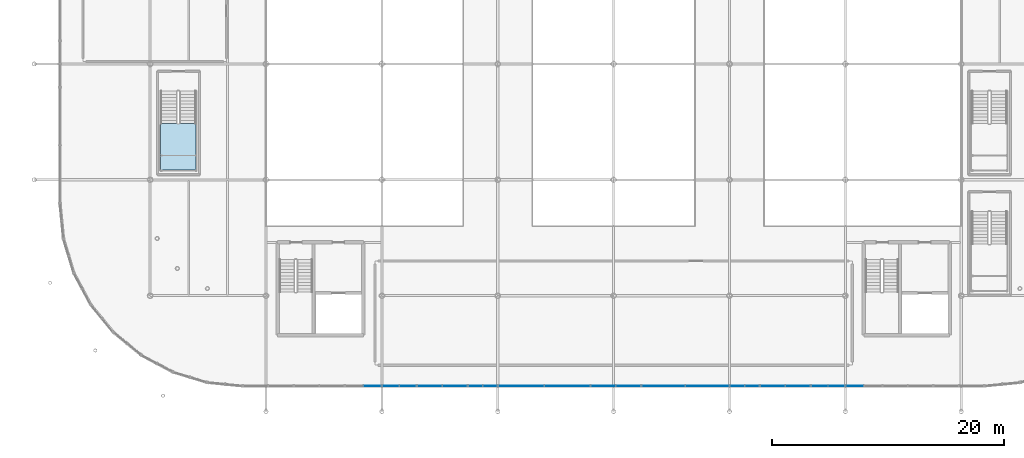
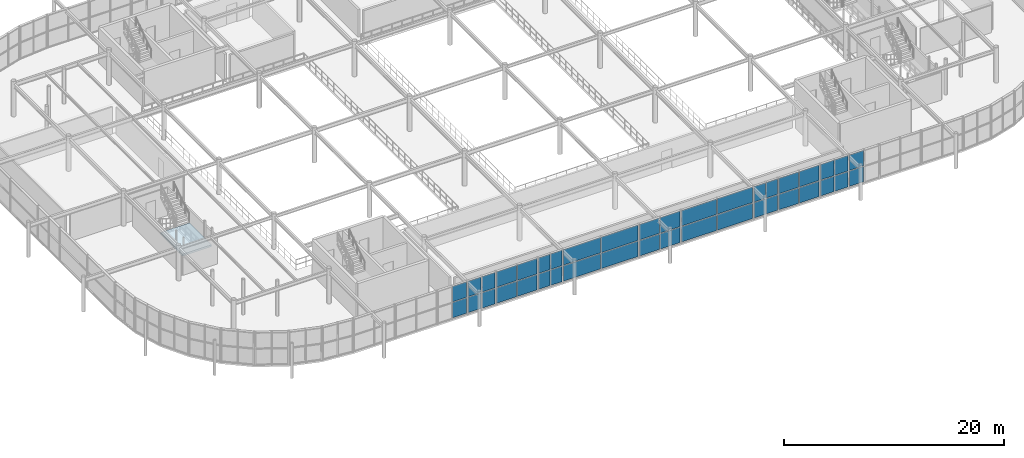
# One storey, part 66 of 98: 40 plates, 1 slab, 12 elements without a shape of their own.
"""IFC4 building model written with IfcOpenShell, lengths in metres."""

from ifc_helpers import new_model, si_unit, derived_unit, direction, frame, origin, origin_2d_with_axis, place, context, subcontext, project, spatial, polyline, rectangle, outline, extrude, material, layer, layer_set, type_object, element, aggregate, save


model = new_model("IFC4")

# Units and contexts
model_context = context("Model", 3, precision=1e-05, world=origin(), true_north=direction((0.0, 1.0)))
body_context = subcontext(model_context, "Body", "Model", "MODEL_VIEW")
ifc_project = project(units=[si_unit("LENGTHUNIT", "METRE"), si_unit("AREAUNIT", "SQUARE_METRE"), si_unit("VOLUMEUNIT", "CUBIC_METRE"), si_unit("PLANEANGLEUNIT", "RADIAN"), si_unit("MASSUNIT", "GRAM", prefix="KILO"), derived_unit("THERMALTRANSMITTANCEUNIT", [(si_unit("POWERUNIT", "WATT"), 1), (si_unit("LENGTHUNIT", "METRE"), -2), (si_unit("THERMODYNAMICTEMPERATUREUNIT", "KELVIN"), -1)])], contexts=[model_context])

# Site, building, storey
site_placement = place(None, origin())
site = spatial("IfcSite", under=ifc_project, at=site_placement, CompositionType="ELEMENT")
building_placement = place(site_placement, origin())
building = spatial("IfcBuilding", under=site, at=building_placement, Name="Cinnabar Yard Market Hall", CompositionType="ELEMENT")
storey_placement = place(building_placement, frame((0.0, 0.0, 4.5)))
storey = spatial("IfcBuildingStorey", under=building, at=storey_placement, Name="L01", CompositionType="ELEMENT", Elevation=4.5)

# Curtain wall, plates
ifc_material_1 = material(Name="Anodised bronze aluminium and low-E glass", Category="aluminium")
curtain_wall_type_1 = type_object("IfcCurtainWallType", Name="CW-CWH026x36", PredefinedType="NOTDEFINED", material=ifc_material_1)
curtain_wall_1_placement = place(storey_placement, origin())
curtain_wall_1 = element("IfcCurtainWall", 1, at=curtain_wall_1_placement, inside=storey, type_object=curtain_wall_type_1, Name="Market Hall South Gallery Glazing B2B", PredefinedType="NOTDEFINED")
ifc_material_2 = material(Name="Low-E laminated glass", Category="glass")
ifc_layer_1 = layer(ifc_material_2, 0.031982421875)
ifc_layer_set_1 = layer_set([ifc_layer_1], Name="Low-E laminated glass")
plate_type_1 = type_object("IfcPlateType", Name="CWP-GP118x171", PredefinedType="CURTAIN_PANEL", material=ifc_layer_set_1)
plate_1_placement = place(storey_placement, frame((104.070068359375, 16.199951171875, 0.080078125), z_axis=(0.0, 0.0, 1.0), x_axis=(1.0, 0.0, 0.0)))
plate_1 = element("IfcPlate", 2, at=plate_1_placement, type_object=plate_type_1, Name="CWH026x36 panel 1.1", PredefinedType="CURTAIN_PANEL", context=body_context, shape_type="SweptSolid", body=[
    extrude(rectangle(XDim=1.179931640625, YDim=0.031982421875, at=origin_2d_with_axis()), origin(), (0.0, 0.0, 1.0), 1.705078125),
])
plate_2_placement = place(storey_placement, frame((104.070068359375, 16.199951171875, 1.864990234375), z_axis=(0.0, 0.0, 1.0), x_axis=(1.0, 0.0, 0.0)))
plate_2 = element("IfcPlate", 3, at=plate_2_placement, type_object=plate_type_1, Name="CWH026x36 panel 1.2", PredefinedType="CURTAIN_PANEL", context=body_context, shape_type="SweptSolid", body=[
    extrude(rectangle(XDim=1.179931640625, YDim=0.031982421875, at=origin_2d_with_axis()), origin(), (0.0, 0.0, 1.0), 1.705078125),
])
plate_3_placement = place(storey_placement, frame((105.330078125, 16.199951171875, 0.080078125), z_axis=(0.0, 0.0, 1.0), x_axis=(1.0, 0.0, 0.0)))
plate_3 = element("IfcPlate", 4, at=plate_3_placement, type_object=plate_type_1, Name="CWH026x36 panel 2.1", PredefinedType="CURTAIN_PANEL", context=body_context, shape_type="SweptSolid", body=[
    extrude(rectangle(XDim=1.179931640625, YDim=0.031982421875, at=origin_2d_with_axis()), origin(), (0.0, 0.0, 1.0), 1.705078125),
])
plate_4_placement = place(storey_placement, frame((105.330078125, 16.199951171875, 1.864990234375), z_axis=(0.0, 0.0, 1.0), x_axis=(1.0, 0.0, 0.0)))
plate_4 = element("IfcPlate", 5, at=plate_4_placement, type_object=plate_type_1, Name="CWH026x36 panel 2.2", PredefinedType="CURTAIN_PANEL", context=body_context, shape_type="SweptSolid", body=[
    extrude(rectangle(XDim=1.179931640625, YDim=0.031982421875, at=origin_2d_with_axis()), origin(), (0.0, 0.0, 1.0), 1.705078125),
])
aggregate(curtain_wall_1, [plate_1, plate_2, plate_3, plate_4])

curtain_wall_2_placement = place(storey_placement, origin())
curtain_wall_2 = element("IfcCurtainWall", 6, at=curtain_wall_2_placement, inside=storey, type_object=curtain_wall_type_1, Name="Market Hall South Gallery Glazing B5A", PredefinedType="NOTDEFINED")
plate_5_placement = place(storey_placement, frame((126.669921875, 16.199951171875, 0.080078125), z_axis=(0.0, 0.0, 1.0), x_axis=(1.0, 0.0, 0.0)))
plate_5 = element("IfcPlate", 7, at=plate_5_placement, type_object=plate_type_1, Name="CWH026x36 panel 1.1", PredefinedType="CURTAIN_PANEL", context=body_context, shape_type="SweptSolid", body=[
    extrude(rectangle(XDim=1.179931640625, YDim=0.031982421875, at=origin_2d_with_axis()), origin(), (0.0, 0.0, 1.0), 1.705078125),
])
plate_6_placement = place(storey_placement, frame((126.669921875, 16.199951171875, 1.864990234375), z_axis=(0.0, 0.0, 1.0), x_axis=(1.0, 0.0, 0.0)))
plate_6 = element("IfcPlate", 8, at=plate_6_placement, type_object=plate_type_1, Name="CWH026x36 panel 1.2", PredefinedType="CURTAIN_PANEL", context=body_context, shape_type="SweptSolid", body=[
    extrude(rectangle(XDim=1.179931640625, YDim=0.031982421875, at=origin_2d_with_axis()), origin(), (0.0, 0.0, 1.0), 1.705078125),
])
plate_7_placement = place(storey_placement, frame((127.929931640625, 16.199951171875, 0.080078125), z_axis=(0.0, 0.0, 1.0), x_axis=(1.0, 0.0, 0.0)))
plate_7 = element("IfcPlate", 9, at=plate_7_placement, type_object=plate_type_1, Name="CWH026x36 panel 2.1", PredefinedType="CURTAIN_PANEL", context=body_context, shape_type="SweptSolid", body=[
    extrude(rectangle(XDim=1.179931640625, YDim=0.031982421875, at=origin_2d_with_axis()), origin(), (0.0, 0.0, 1.0), 1.705078125),
])
plate_8_placement = place(storey_placement, frame((127.929931640625, 16.199951171875, 1.864990234375), z_axis=(0.0, 0.0, 1.0), x_axis=(1.0, 0.0, 0.0)))
plate_8 = element("IfcPlate", 10, at=plate_8_placement, type_object=plate_type_1, Name="CWH026x36 panel 2.2", PredefinedType="CURTAIN_PANEL", context=body_context, shape_type="SweptSolid", body=[
    extrude(rectangle(XDim=1.179931640625, YDim=0.031982421875, at=origin_2d_with_axis()), origin(), (0.0, 0.0, 1.0), 1.705078125),
])
aggregate(curtain_wall_2, [plate_5, plate_6, plate_7, plate_8])

curtain_wall_type_2 = type_object("IfcCurtainWallType", Name="CW-CWH030x36", PredefinedType="NOTDEFINED", material=ifc_material_1)
curtain_wall_3_placement = place(storey_placement, origin())
curtain_wall_3 = element("IfcCurtainWall", 11, at=curtain_wall_3_placement, inside=storey, type_object=curtain_wall_type_2, Name="Market Hall South Gallery Glazing B2A", PredefinedType="NOTDEFINED")
ifc_layer_2 = layer(ifc_material_2, 0.031982421875)
ifc_layer_set_2 = layer_set([ifc_layer_2], Name="Low-E laminated glass")
plate_type_2 = type_object("IfcPlateType", Name="CWP-GP138x171", PredefinedType="CURTAIN_PANEL", material=ifc_layer_set_2)
plate_9_placement = place(storey_placement, frame((96.77001953125, 16.199951171875, 0.080078125), z_axis=(0.0, 0.0, 1.0), x_axis=(1.0, 0.0, 0.0)))
plate_9 = element("IfcPlate", 12, at=plate_9_placement, type_object=plate_type_2, Name="CWH030x36 panel 1.1", PredefinedType="CURTAIN_PANEL", context=body_context, shape_type="SweptSolid", body=[
    extrude(rectangle(XDim=1.3798828125, YDim=0.031982421875, at=origin_2d_with_axis()), origin(), (0.0, 0.0, 1.0), 1.705078125),
])
plate_10_placement = place(storey_placement, frame((96.77001953125, 16.199951171875, 1.864990234375), z_axis=(0.0, 0.0, 1.0), x_axis=(1.0, 0.0, 0.0)))
plate_10 = element("IfcPlate", 13, at=plate_10_placement, type_object=plate_type_2, Name="CWH030x36 panel 1.2", PredefinedType="CURTAIN_PANEL", context=body_context, shape_type="SweptSolid", body=[
    extrude(rectangle(XDim=1.3798828125, YDim=0.031982421875, at=origin_2d_with_axis()), origin(), (0.0, 0.0, 1.0), 1.705078125),
])
plate_11_placement = place(storey_placement, frame((98.22998046875, 16.199951171875, 0.080078125), z_axis=(0.0, 0.0, 1.0), x_axis=(1.0, 0.0, 0.0)))
plate_11 = element("IfcPlate", 14, at=plate_11_placement, type_object=plate_type_2, Name="CWH030x36 panel 2.1", PredefinedType="CURTAIN_PANEL", context=body_context, shape_type="SweptSolid", body=[
    extrude(rectangle(XDim=1.3798828125, YDim=0.031982421875, at=origin_2d_with_axis()), origin(), (0.0, 0.0, 1.0), 1.705078125),
])
plate_12_placement = place(storey_placement, frame((98.22998046875, 16.199951171875, 1.864990234375), z_axis=(0.0, 0.0, 1.0), x_axis=(1.0, 0.0, 0.0)))
plate_12 = element("IfcPlate", 15, at=plate_12_placement, type_object=plate_type_2, Name="CWH030x36 panel 2.2", PredefinedType="CURTAIN_PANEL", context=body_context, shape_type="SweptSolid", body=[
    extrude(rectangle(XDim=1.3798828125, YDim=0.031982421875, at=origin_2d_with_axis()), origin(), (0.0, 0.0, 1.0), 1.705078125),
])
aggregate(curtain_wall_3, [plate_9, plate_10, plate_11, plate_12])

curtain_wall_4_placement = place(storey_placement, origin())
curtain_wall_4 = element("IfcCurtainWall", 16, at=curtain_wall_4_placement, inside=storey, type_object=curtain_wall_type_2, Name="Market Hall South Gallery Glazing B5B", PredefinedType="NOTDEFINED")
plate_13_placement = place(storey_placement, frame((133.77001953125, 16.199951171875, 0.080078125), z_axis=(0.0, 0.0, 1.0), x_axis=(1.0, 0.0, 0.0)))
plate_13 = element("IfcPlate", 17, at=plate_13_placement, type_object=plate_type_2, Name="CWH030x36 panel 1.1", PredefinedType="CURTAIN_PANEL", context=body_context, shape_type="SweptSolid", body=[
    extrude(rectangle(XDim=1.3798828125, YDim=0.031982421875, at=origin_2d_with_axis()), origin(), (0.0, 0.0, 1.0), 1.705078125),
])
plate_14_placement = place(storey_placement, frame((133.77001953125, 16.199951171875, 1.864990234375), z_axis=(0.0, 0.0, 1.0), x_axis=(1.0, 0.0, 0.0)))
plate_14 = element("IfcPlate", 18, at=plate_14_placement, type_object=plate_type_2, Name="CWH030x36 panel 1.2", PredefinedType="CURTAIN_PANEL", context=body_context, shape_type="SweptSolid", body=[
    extrude(rectangle(XDim=1.3798828125, YDim=0.031982421875, at=origin_2d_with_axis()), origin(), (0.0, 0.0, 1.0), 1.705078125),
])
plate_15_placement = place(storey_placement, frame((135.22998046875, 16.199951171875, 0.080078125), z_axis=(0.0, 0.0, 1.0), x_axis=(1.0, 0.0, 0.0)))
plate_15 = element("IfcPlate", 19, at=plate_15_placement, type_object=plate_type_2, Name="CWH030x36 panel 2.1", PredefinedType="CURTAIN_PANEL", context=body_context, shape_type="SweptSolid", body=[
    extrude(rectangle(XDim=1.3798828125, YDim=0.031982421875, at=origin_2d_with_axis()), origin(), (0.0, 0.0, 1.0), 1.705078125),
])
plate_16_placement = place(storey_placement, frame((135.22998046875, 16.199951171875, 1.864990234375), z_axis=(0.0, 0.0, 1.0), x_axis=(1.0, 0.0, 0.0)))
plate_16 = element("IfcPlate", 20, at=plate_16_placement, type_object=plate_type_2, Name="CWH030x36 panel 2.2", PredefinedType="CURTAIN_PANEL", context=body_context, shape_type="SweptSolid", body=[
    extrude(rectangle(XDim=1.3798828125, YDim=0.031982421875, at=origin_2d_with_axis()), origin(), (0.0, 0.0, 1.0), 1.705078125),
])
aggregate(curtain_wall_4, [plate_13, plate_14, plate_15, plate_16])

curtain_wall_type_3 = type_object("IfcCurtainWallType", Name="CW-CWH032x36", PredefinedType="NOTDEFINED", material=ifc_material_1)
curtain_wall_5_placement = place(storey_placement, origin())
curtain_wall_5 = element("IfcCurtainWall", 21, at=curtain_wall_5_placement, inside=storey, type_object=curtain_wall_type_3, Name="Market Hall South Gallery Glazing B1B", PredefinedType="NOTDEFINED")
ifc_layer_3 = layer(ifc_material_2, 0.031982421875)
ifc_layer_set_3 = layer_set([ifc_layer_3], Name="Low-E laminated glass")
plate_type_3 = type_object("IfcPlateType", Name="CWP-GP148x171", PredefinedType="CURTAIN_PANEL", material=ifc_layer_set_3)
plate_17_placement = place(storey_placement, frame((95.179931640625, 16.199951171875, 0.080078125), z_axis=(0.0, 0.0, 1.0), x_axis=(1.0, 0.0, 0.0)))
plate_17 = element("IfcPlate", 22, at=plate_17_placement, type_object=plate_type_3, Name="CWH032x36 panel 2.1", PredefinedType="CURTAIN_PANEL", context=body_context, shape_type="SweptSolid", body=[
    extrude(rectangle(XDim=1.47998046875, YDim=0.031982421875, at=origin_2d_with_axis()), origin(), (0.0, 0.0, 1.0), 1.705078125),
])
plate_18_placement = place(storey_placement, frame((95.179931640625, 16.199951171875, 1.864990234375), z_axis=(0.0, 0.0, 1.0), x_axis=(1.0, 0.0, 0.0)))
plate_18 = element("IfcPlate", 23, at=plate_18_placement, type_object=plate_type_3, Name="CWH032x36 panel 2.2", PredefinedType="CURTAIN_PANEL", context=body_context, shape_type="SweptSolid", body=[
    extrude(rectangle(XDim=1.47998046875, YDim=0.031982421875, at=origin_2d_with_axis()), origin(), (0.0, 0.0, 1.0), 1.705078125),
])
aggregate(curtain_wall_5, [plate_17, plate_18])

curtain_wall_6_placement = place(storey_placement, origin())
curtain_wall_6 = element("IfcCurtainWall", 24, at=curtain_wall_6_placement, inside=storey, type_object=curtain_wall_type_3, Name="Market Hall South Gallery Glazing B6A", PredefinedType="NOTDEFINED")
plate_19_placement = place(storey_placement, frame((136.820068359375, 16.199951171875, 0.080078125), z_axis=(0.0, 0.0, 1.0), x_axis=(1.0, 0.0, 0.0)))
plate_19 = element("IfcPlate", 25, at=plate_19_placement, type_object=plate_type_3, Name="CWH032x36 panel 1.1", PredefinedType="CURTAIN_PANEL", context=body_context, shape_type="SweptSolid", body=[
    extrude(rectangle(XDim=1.47998046875, YDim=0.031982421875, at=origin_2d_with_axis()), origin(), (0.0, 0.0, 1.0), 1.705078125),
])
plate_20_placement = place(storey_placement, frame((136.820068359375, 16.199951171875, 1.864990234375), z_axis=(0.0, 0.0, 1.0), x_axis=(1.0, 0.0, 0.0)))
plate_20 = element("IfcPlate", 26, at=plate_20_placement, type_object=plate_type_3, Name="CWH032x36 panel 1.2", PredefinedType="CURTAIN_PANEL", context=body_context, shape_type="SweptSolid", body=[
    extrude(rectangle(XDim=1.47998046875, YDim=0.031982421875, at=origin_2d_with_axis()), origin(), (0.0, 0.0, 1.0), 1.705078125),
])
aggregate(curtain_wall_6, [plate_19, plate_20])

curtain_wall_type_4 = type_object("IfcCurtainWallType", Name="CW-CWH044x36", PredefinedType="NOTDEFINED", material=ifc_material_1)
curtain_wall_7_placement = place(storey_placement, origin())
curtain_wall_7 = element("IfcCurtainWall", 27, at=curtain_wall_7_placement, inside=storey, type_object=curtain_wall_type_4, Name="Market Hall South Gallery Glazing PTB2", PredefinedType="NOTDEFINED")
ifc_layer_4 = layer(ifc_material_2, 0.031982421875)
ifc_layer_set_4 = layer_set([ifc_layer_4], Name="Low-E laminated glass")
plate_type_4 = type_object("IfcPlateType", Name="CWP-GP208x171", PredefinedType="CURTAIN_PANEL", material=ifc_layer_set_4)
plate_21_placement = place(storey_placement, frame((100.1201171875, 16.199951171875, 0.080078125), z_axis=(0.0, 0.0, 1.0), x_axis=(1.0, 0.0, 0.0)))
plate_21 = element("IfcPlate", 28, at=plate_21_placement, type_object=plate_type_4, Name="CWH044x36 panel 1.1", PredefinedType="CURTAIN_PANEL", context=body_context, shape_type="SweptSolid", body=[
    extrude(rectangle(XDim=2.080078125, YDim=0.031982421875, at=origin_2d_with_axis()), origin(), (0.0, 0.0, 1.0), 1.705078125),
])
plate_22_placement = place(storey_placement, frame((100.1201171875, 16.199951171875, 1.864990234375), z_axis=(0.0, 0.0, 1.0), x_axis=(1.0, 0.0, 0.0)))
plate_22 = element("IfcPlate", 29, at=plate_22_placement, type_object=plate_type_4, Name="CWH044x36 panel 1.2", PredefinedType="CURTAIN_PANEL", context=body_context, shape_type="SweptSolid", body=[
    extrude(rectangle(XDim=2.080078125, YDim=0.031982421875, at=origin_2d_with_axis()), origin(), (0.0, 0.0, 1.0), 1.705078125),
])
plate_23_placement = place(storey_placement, frame((102.280029296875, 16.199951171875, 0.080078125), z_axis=(0.0, 0.0, 1.0), x_axis=(1.0, 0.0, 0.0)))
plate_23 = element("IfcPlate", 30, at=plate_23_placement, type_object=plate_type_4, Name="CWH044x36 panel 2.1", PredefinedType="CURTAIN_PANEL", context=body_context, shape_type="SweptSolid", body=[
    extrude(rectangle(XDim=2.080078125, YDim=0.031982421875, at=origin_2d_with_axis()), origin(), (0.0, 0.0, 1.0), 1.705078125),
])
plate_24_placement = place(storey_placement, frame((102.280029296875, 16.199951171875, 1.864990234375), z_axis=(0.0, 0.0, 1.0), x_axis=(1.0, 0.0, 0.0)))
plate_24 = element("IfcPlate", 31, at=plate_24_placement, type_object=plate_type_4, Name="CWH044x36 panel 2.2", PredefinedType="CURTAIN_PANEL", context=body_context, shape_type="SweptSolid", body=[
    extrude(rectangle(XDim=2.080078125, YDim=0.031982421875, at=origin_2d_with_axis()), origin(), (0.0, 0.0, 1.0), 1.705078125),
])
aggregate(curtain_wall_7, [plate_21, plate_22, plate_23, plate_24])

curtain_wall_8_placement = place(storey_placement, origin())
curtain_wall_8 = element("IfcCurtainWall", 32, at=curtain_wall_8_placement, inside=storey, type_object=curtain_wall_type_4, Name="Market Hall South Gallery Glazing PT1", PredefinedType="NOTDEFINED")
plate_25_placement = place(storey_placement, frame((115.1201171875, 16.199951171875, 0.080078125), z_axis=(0.0, 0.0, 1.0), x_axis=(1.0, 0.0, 0.0)))
plate_25 = element("IfcPlate", 33, at=plate_25_placement, type_object=plate_type_4, Name="CWH044x36 panel 1.1", PredefinedType="CURTAIN_PANEL", context=body_context, shape_type="SweptSolid", body=[
    extrude(rectangle(XDim=2.080078125, YDim=0.031982421875, at=origin_2d_with_axis()), origin(), (0.0, 0.0, 1.0), 1.705078125),
])
plate_26_placement = place(storey_placement, frame((115.1201171875, 16.199951171875, 1.864990234375), z_axis=(0.0, 0.0, 1.0), x_axis=(1.0, 0.0, 0.0)))
plate_26 = element("IfcPlate", 34, at=plate_26_placement, type_object=plate_type_4, Name="CWH044x36 panel 1.2", PredefinedType="CURTAIN_PANEL", context=body_context, shape_type="SweptSolid", body=[
    extrude(rectangle(XDim=2.080078125, YDim=0.031982421875, at=origin_2d_with_axis()), origin(), (0.0, 0.0, 1.0), 1.705078125),
])
plate_27_placement = place(storey_placement, frame((117.280029296875, 16.199951171875, 0.080078125), z_axis=(0.0, 0.0, 1.0), x_axis=(1.0, 0.0, 0.0)))
plate_27 = element("IfcPlate", 35, at=plate_27_placement, type_object=plate_type_4, Name="CWH044x36 panel 2.1", PredefinedType="CURTAIN_PANEL", context=body_context, shape_type="SweptSolid", body=[
    extrude(rectangle(XDim=2.080078125, YDim=0.031982421875, at=origin_2d_with_axis()), origin(), (0.0, 0.0, 1.0), 1.705078125),
])
plate_28_placement = place(storey_placement, frame((117.280029296875, 16.199951171875, 1.864990234375), z_axis=(0.0, 0.0, 1.0), x_axis=(1.0, 0.0, 0.0)))
plate_28 = element("IfcPlate", 36, at=plate_28_placement, type_object=plate_type_4, Name="CWH044x36 panel 2.2", PredefinedType="CURTAIN_PANEL", context=body_context, shape_type="SweptSolid", body=[
    extrude(rectangle(XDim=2.080078125, YDim=0.031982421875, at=origin_2d_with_axis()), origin(), (0.0, 0.0, 1.0), 1.705078125),
])
aggregate(curtain_wall_8, [plate_25, plate_26, plate_27, plate_28])

curtain_wall_9_placement = place(storey_placement, origin())
curtain_wall_9 = element("IfcCurtainWall", 37, at=curtain_wall_9_placement, inside=storey, type_object=curtain_wall_type_4, Name="Market Hall South Gallery Glazing PTB5", PredefinedType="NOTDEFINED")
plate_29_placement = place(storey_placement, frame((129.719970703125, 16.199951171875, 0.080078125), z_axis=(0.0, 0.0, 1.0), x_axis=(1.0, 0.0, 0.0)))
plate_29 = element("IfcPlate", 38, at=plate_29_placement, type_object=plate_type_4, Name="CWH044x36 panel 1.1", PredefinedType="CURTAIN_PANEL", context=body_context, shape_type="SweptSolid", body=[
    extrude(rectangle(XDim=2.080078125, YDim=0.031982421875, at=origin_2d_with_axis()), origin(), (0.0, 0.0, 1.0), 1.705078125),
])
plate_30_placement = place(storey_placement, frame((129.719970703125, 16.199951171875, 1.864990234375), z_axis=(0.0, 0.0, 1.0), x_axis=(1.0, 0.0, 0.0)))
plate_30 = element("IfcPlate", 39, at=plate_30_placement, type_object=plate_type_4, Name="CWH044x36 panel 1.2", PredefinedType="CURTAIN_PANEL", context=body_context, shape_type="SweptSolid", body=[
    extrude(rectangle(XDim=2.080078125, YDim=0.031982421875, at=origin_2d_with_axis()), origin(), (0.0, 0.0, 1.0), 1.705078125),
])
plate_31_placement = place(storey_placement, frame((131.8798828125, 16.199951171875, 0.080078125), z_axis=(0.0, 0.0, 1.0), x_axis=(1.0, 0.0, 0.0)))
plate_31 = element("IfcPlate", 40, at=plate_31_placement, type_object=plate_type_4, Name="CWH044x36 panel 2.1", PredefinedType="CURTAIN_PANEL", context=body_context, shape_type="SweptSolid", body=[
    extrude(rectangle(XDim=2.080078125, YDim=0.031982421875, at=origin_2d_with_axis()), origin(), (0.0, 0.0, 1.0), 1.705078125),
])
plate_32_placement = place(storey_placement, frame((131.8798828125, 16.199951171875, 1.864990234375), z_axis=(0.0, 0.0, 1.0), x_axis=(1.0, 0.0, 0.0)))
plate_32 = element("IfcPlate", 41, at=plate_32_placement, type_object=plate_type_4, Name="CWH044x36 panel 2.2", PredefinedType="CURTAIN_PANEL", context=body_context, shape_type="SweptSolid", body=[
    extrude(rectangle(XDim=2.080078125, YDim=0.031982421875, at=origin_2d_with_axis()), origin(), (0.0, 0.0, 1.0), 1.705078125),
])
aggregate(curtain_wall_9, [plate_29, plate_30, plate_31, plate_32])

curtain_wall_type_5 = type_object("IfcCurtainWallType", Name="CW-CWH076x36", PredefinedType="NOTDEFINED", material=ifc_material_1)
curtain_wall_10_placement = place(storey_placement, origin())
curtain_wall_10 = element("IfcCurtainWall", 42, at=curtain_wall_10_placement, inside=storey, type_object=curtain_wall_type_5, Name="Market Hall South Gallery Glazing B4", PredefinedType="NOTDEFINED")
ifc_layer_5 = layer(ifc_material_2, 0.031982421875)
ifc_layer_set_5 = layer_set([ifc_layer_5], Name="Low-E laminated glass")
plate_type_5 = type_object("IfcPlateType", Name="CWP-GP368x171", PredefinedType="CURTAIN_PANEL", material=ifc_layer_set_5)
plate_33_placement = place(storey_placement, frame((120.320068359375, 16.199951171875, 0.080078125), z_axis=(0.0, 0.0, 1.0), x_axis=(1.0, 0.0, 0.0)))
plate_33 = element("IfcPlate", 43, at=plate_33_placement, type_object=plate_type_5, Name="CWH076x36 panel 1.1", PredefinedType="CURTAIN_PANEL", context=body_context, shape_type="SweptSolid", body=[
    extrude(rectangle(XDim=3.679931640625, YDim=0.031982421875, at=origin_2d_with_axis()), origin(), (0.0, 0.0, 1.0), 1.705078125),
])
plate_34_placement = place(storey_placement, frame((120.320068359375, 16.199951171875, 1.864990234375), z_axis=(0.0, 0.0, 1.0), x_axis=(1.0, 0.0, 0.0)))
plate_34 = element("IfcPlate", 44, at=plate_34_placement, type_object=plate_type_5, Name="CWH076x36 panel 1.2", PredefinedType="CURTAIN_PANEL", context=body_context, shape_type="SweptSolid", body=[
    extrude(rectangle(XDim=3.679931640625, YDim=0.031982421875, at=origin_2d_with_axis()), origin(), (0.0, 0.0, 1.0), 1.705078125),
])
plate_35_placement = place(storey_placement, frame((124.080078125, 16.199951171875, 0.080078125), z_axis=(0.0, 0.0, 1.0), x_axis=(1.0, 0.0, 0.0)))
plate_35 = element("IfcPlate", 45, at=plate_35_placement, type_object=plate_type_5, Name="CWH076x36 panel 2.1", PredefinedType="CURTAIN_PANEL", context=body_context, shape_type="SweptSolid", body=[
    extrude(rectangle(XDim=3.679931640625, YDim=0.031982421875, at=origin_2d_with_axis()), origin(), (0.0, 0.0, 1.0), 1.705078125),
])
plate_36_placement = place(storey_placement, frame((124.080078125, 16.199951171875, 1.864990234375), z_axis=(0.0, 0.0, 1.0), x_axis=(1.0, 0.0, 0.0)))
plate_36 = element("IfcPlate", 46, at=plate_36_placement, type_object=plate_type_5, Name="CWH076x36 panel 2.2", PredefinedType="CURTAIN_PANEL", context=body_context, shape_type="SweptSolid", body=[
    extrude(rectangle(XDim=3.679931640625, YDim=0.031982421875, at=origin_2d_with_axis()), origin(), (0.0, 0.0, 1.0), 1.705078125),
])
aggregate(curtain_wall_10, [plate_33, plate_34, plate_35, plate_36])

curtain_wall_type_6 = type_object("IfcCurtainWallType", Name="CW-CWH080x36", PredefinedType="NOTDEFINED", material=ifc_material_1)
curtain_wall_11_placement = place(storey_placement, origin())
curtain_wall_11 = element("IfcCurtainWall", 47, at=curtain_wall_11_placement, inside=storey, type_object=curtain_wall_type_6, Name="Market Hall South Gallery Glazing B3", PredefinedType="NOTDEFINED")
ifc_layer_6 = layer(ifc_material_2, 0.031982421875)
ifc_layer_set_6 = layer_set([ifc_layer_6], Name="Low-E laminated glass")
plate_type_6 = type_object("IfcPlateType", Name="CWP-GP388x171", PredefinedType="CURTAIN_PANEL", material=ifc_layer_set_6)
plate_37_placement = place(storey_placement, frame((108.02001953125, 16.199951171875, 0.080078125), z_axis=(0.0, 0.0, 1.0), x_axis=(1.0, 0.0, 0.0)))
plate_37 = element("IfcPlate", 48, at=plate_37_placement, type_object=plate_type_6, Name="CWH080x36 panel 1.1", PredefinedType="CURTAIN_PANEL", context=body_context, shape_type="SweptSolid", body=[
    extrude(rectangle(XDim=3.8798828125, YDim=0.031982421875, at=origin_2d_with_axis()), origin(), (0.0, 0.0, 1.0), 1.705078125),
])
plate_38_placement = place(storey_placement, frame((108.02001953125, 16.199951171875, 1.864990234375), z_axis=(0.0, 0.0, 1.0), x_axis=(1.0, 0.0, 0.0)))
plate_38 = element("IfcPlate", 49, at=plate_38_placement, type_object=plate_type_6, Name="CWH080x36 panel 1.2", PredefinedType="CURTAIN_PANEL", context=body_context, shape_type="SweptSolid", body=[
    extrude(rectangle(XDim=3.8798828125, YDim=0.031982421875, at=origin_2d_with_axis()), origin(), (0.0, 0.0, 1.0), 1.705078125),
])
plate_39_placement = place(storey_placement, frame((111.97998046875, 16.199951171875, 0.080078125), z_axis=(0.0, 0.0, 1.0), x_axis=(1.0, 0.0, 0.0)))
plate_39 = element("IfcPlate", 50, at=plate_39_placement, type_object=plate_type_6, Name="CWH080x36 panel 2.1", PredefinedType="CURTAIN_PANEL", context=body_context, shape_type="SweptSolid", body=[
    extrude(rectangle(XDim=3.8798828125, YDim=0.031982421875, at=origin_2d_with_axis()), origin(), (0.0, 0.0, 1.0), 1.705078125),
])
plate_40_placement = place(storey_placement, frame((111.97998046875, 16.199951171875, 1.864990234375), z_axis=(0.0, 0.0, 1.0), x_axis=(1.0, 0.0, 0.0)))
plate_40 = element("IfcPlate", 51, at=plate_40_placement, type_object=plate_type_6, Name="CWH080x36 panel 2.2", PredefinedType="CURTAIN_PANEL", context=body_context, shape_type="SweptSolid", body=[
    extrude(rectangle(XDim=3.8798828125, YDim=0.031982421875, at=origin_2d_with_axis()), origin(), (0.0, 0.0, 1.0), 1.705078125),
])
aggregate(curtain_wall_11, [plate_37, plate_38, plate_39, plate_40])

# Stair, slab
ifc_material_3 = material(Name="Spotted gum timber treads on steel Grade 350 (350 MPa)", Category="steel")
stair_type = type_object("IfcStairType", Name="ST-FEAT", PredefinedType="HALF_TURN_STAIR", material=ifc_material_3)
stair_placement = place(storey_placement, origin())
stair = element("IfcStair", 52, at=stair_placement, inside=storey, type_object=stair_type, Name="L01 Feature Stair ST-F1", PredefinedType="HALF_TURN_STAIR")
ifc_material_4 = material(Name="Concrete 40 MPa", Category="concrete")
ifc_layer_7 = layer(ifc_material_4, 0.199951171875)
ifc_layer_set_7 = layer_set([ifc_layer_7], Name="Concrete 40 MPa")
slab_type = type_object("IfcSlabType", Name="SL-LAND", PredefinedType="LANDING", material=ifc_layer_set_7)
slab_placement = place(storey_placement, frame((0.0, 0.0, 1.75)))
slab = element("IfcSlab", 53, at=slab_placement, type_object=slab_type, Name="ST-F1 landing 1", PredefinedType="LANDING", context=body_context, shape_type="SweptSolid", body=[
    extrude(outline(polyline([(76.89990234375, 38.85009765625), (76.89990234375, 34.85009765625), (79.9599609375, 34.85009765625), (79.9599609375, 38.85009765625), (76.89990234375, 38.85009765625)])), origin(), (0.0, 0.0, 1.0), 0.199951171875),
])
aggregate(stair, [slab])

save(model, "model.ifc")
